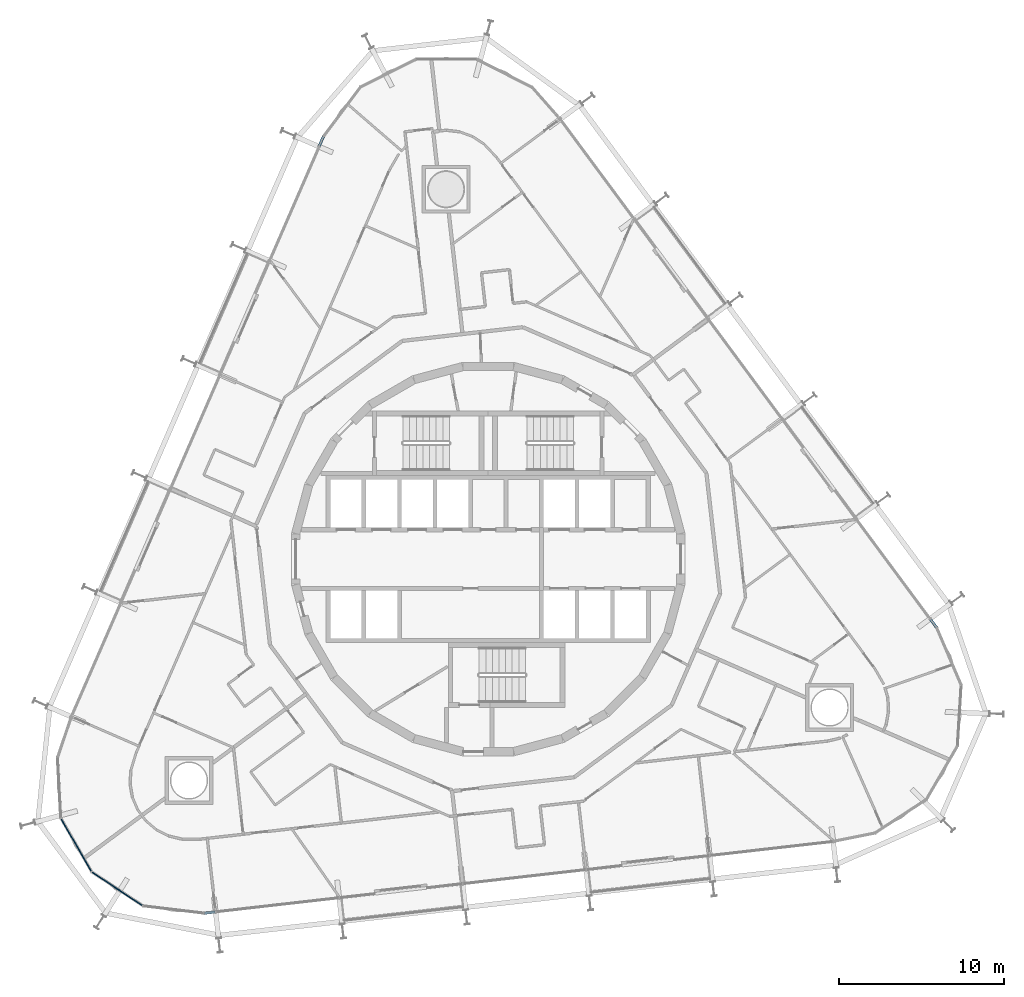
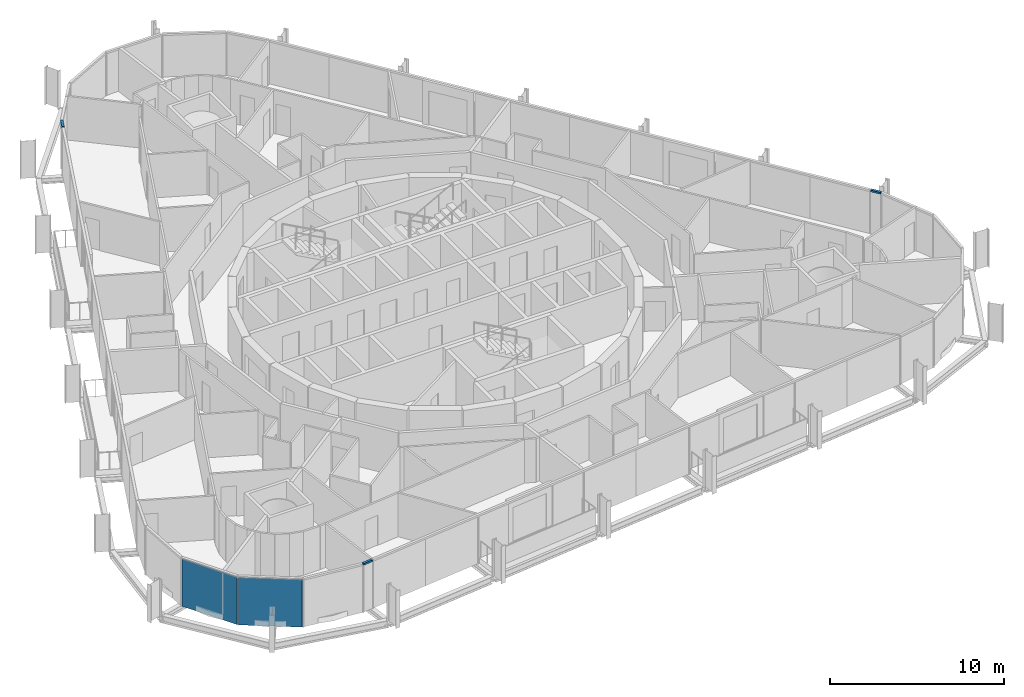
# One storey, part 12 of 23: 3 members, 2 plates, 3 elements without a shape of their own.
"""IFC4 building model written with IfcOpenShell, lengths in metres."""

from ifc_helpers import new_model, si_unit, direction, frame, origin, origin_2d, place, context, subcontext, project, spatial, rectangle, extrude, material, layer, layer_set, material_profile, profile_set, type_object, element, aggregate, save


model = new_model("IFC4")

# Units and contexts
model_context = context("Model", 3, precision=1e-05, world=origin(), true_north=direction((0.0, 1.0)))
body_context = subcontext(model_context, "Body", "Model", "MODEL_VIEW")
ifc_project = project(units=[si_unit("LENGTHUNIT", "METRE"), si_unit("AREAUNIT", "SQUARE_METRE"), si_unit("VOLUMEUNIT", "CUBIC_METRE"), si_unit("PLANEANGLEUNIT", "RADIAN"), si_unit("MASSUNIT", "GRAM", prefix="KILO")], contexts=[model_context])

# Site, building, storey
site_placement = place(None, origin())
site = spatial("IfcSite", under=ifc_project, at=site_placement, CompositionType="ELEMENT")
building_placement = place(site_placement, origin())
building = spatial("IfcBuilding", under=site, at=building_placement, Name="Spindle Arch Residences", CompositionType="ELEMENT")
storey_placement = place(building_placement, frame((0.0, 0.0, 104.699951171875)))
storey = spatial("IfcBuildingStorey", under=building, at=storey_placement, Name="L25", CompositionType="ELEMENT", Elevation=104.699951171875)

# Curtain wall, member
ifc_material_1 = material(Name="Aluminium bronze unitised frame with tinted glass", Category="aluminium")
ifc_layer_1 = layer(ifc_material_1, 0.159912109375)
ifc_layer_set_1 = layer_set([ifc_layer_1], Name="CW-D corner wall on the fillet arcs")
curtain_wall_type = type_object("IfcCurtainWallType", Name="CW-D corner wall on the fillet arcs", PredefinedType="NOTDEFINED", material=ifc_layer_set_1)
curtain_wall_1_placement = place(storey_placement, origin())
curtain_wall_1 = element("IfcCurtainWall", 1, at=curtain_wall_1_placement, inside=storey, type_object=curtain_wall_type, Name="CW-D L25 run 1", PredefinedType="NOTDEFINED")
ifc_material_2 = material(Name="Aluminium bronze anodised transom", Category="aluminium")
ifc_material_profile = material_profile(ifc_material_2, rectangle(XDim=0.159912109375, YDim=0.1201171875, at=origin_2d()), Name="TR 120x160")
ifc_profile_set = profile_set([ifc_material_profile], Name="Aluminium bronze anodised transom")
member_type = type_object("IfcMemberType", Name="Bronze transom 120x160", PredefinedType="USERDEFINED", material=ifc_profile_set)
member_1_placement = place(storey_placement, frame((27.125, -4.1474609375, 2.989990234375), z_axis=(-0.594872516249, 0.803820060344, 0.0), x_axis=(-0.803820060344, -0.594872516249, 0.0)))
member_1 = element("IfcMember", 2, at=member_1_placement, type_object=member_type, Name="CW-D transom 05", ObjectType="TRANSOM", PredefinedType="USERDEFINED", context=body_context, shape_type="SweptSolid", body=[
    extrude(rectangle(XDim=0.159912109375, YDim=0.1201171875, at=origin_2d()), origin(), (0.0, 0.0, 1.0), 0.641357421875),
])
aggregate(curtain_wall_1, [member_1])

curtain_wall_2_placement = place(storey_placement, origin())
curtain_wall_2 = element("IfcCurtainWall", 3, at=curtain_wall_2_placement, inside=storey, type_object=curtain_wall_type, Name="CW-D L25 run 3", PredefinedType="NOTDEFINED")
member_2_placement = place(storey_placement, frame((-9.970703125, 25.564697265625, 2.989990234375), z_axis=(-0.398461689222, -0.917184977102, 0.0), x_axis=(0.917184977102, -0.398461689222, 0.0)))
member_2 = element("IfcMember", 4, at=member_2_placement, type_object=member_type, Name="CW-D transom 05", ObjectType="TRANSOM", PredefinedType="USERDEFINED", context=body_context, shape_type="SweptSolid", body=[
    extrude(rectangle(XDim=0.159912109375, YDim=0.1201171875, at=origin_2d()), origin(), (0.0, 0.0, 1.0), 0.6416015625),
])
aggregate(curtain_wall_2, [member_2])

# Curtain wall, member, plates
curtain_wall_3_placement = place(storey_placement, origin())
curtain_wall_3 = element("IfcCurtainWall", 5, at=curtain_wall_3_placement, inside=storey, type_object=curtain_wall_type, Name="CW-D L25 run 5", PredefinedType="NOTDEFINED")
member_3_placement = place(storey_placement, frame((-17.154296875, -21.417236328125, 2.989990234375), z_axis=(0.993549832432, 0.113396342422, 0.0), x_axis=(-0.113396342422, 0.993549832432, 0.0)))
member_3 = element("IfcMember", 6, at=member_3_placement, type_object=member_type, Name="CW-D transom 05", ObjectType="TRANSOM", PredefinedType="USERDEFINED", context=body_context, shape_type="SweptSolid", body=[
    extrude(rectangle(XDim=0.159912109375, YDim=0.1201171875, at=origin_2d()), origin(), (0.0, 0.0, 1.0), 0.6416015625),
])
ifc_material_3 = material(Name="Tinted double glazing over aluminium faced non-combustible spandrel zone (K0)", Category="aluminium")
ifc_layer_2 = layer(ifc_material_3, 0.06005859375)
ifc_layer_set_2 = layer_set([ifc_layer_2], Name="Unitised glass panel with E 60 spandrel zone")
plate_type = type_object("IfcPlateType", Name="Unitised glass panel with E 60 spandrel zone", PredefinedType="CURTAIN_PANEL", material=ifc_layer_set_2)
plate_1_placement = place(storey_placement, frame((-24.919189453125, -17.3037109375, -0.3798828125), z_axis=(0.0, 0.0, 1.0), x_axis=(0.497478721595, -0.867476179247, 0.0)))
plate_1 = element("IfcPlate", 7, at=plate_1_placement, type_object=plate_type, Name="CW-D unit 02", PredefinedType="CURTAIN_PANEL", context=body_context, shape_type="SweptSolid", body=[
    extrude(rectangle(XDim=3.666748046875, YDim=0.06005859375, at=origin_2d()), origin(), (0.0, 0.0, 1.0), 3.31005859375),
])
plate_2_placement = place(storey_placement, frame((-22.438232421875, -19.94873046875, -0.3798828125), z_axis=(0.0, 0.0, 1.0), x_axis=(0.833885820352, -0.551936987903, 0.0)))
plate_2 = element("IfcPlate", 8, at=plate_2_placement, type_object=plate_type, Name="CW-D unit 03", PredefinedType="CURTAIN_PANEL", context=body_context, shape_type="SweptSolid", body=[
    extrude(rectangle(XDim=3.666748046875, YDim=0.06005859375, at=origin_2d()), origin(), (0.0, 0.0, 1.0), 3.31005859375),
])
aggregate(curtain_wall_3, [plate_1, plate_2, member_3])

save(model, "model.ifc")
